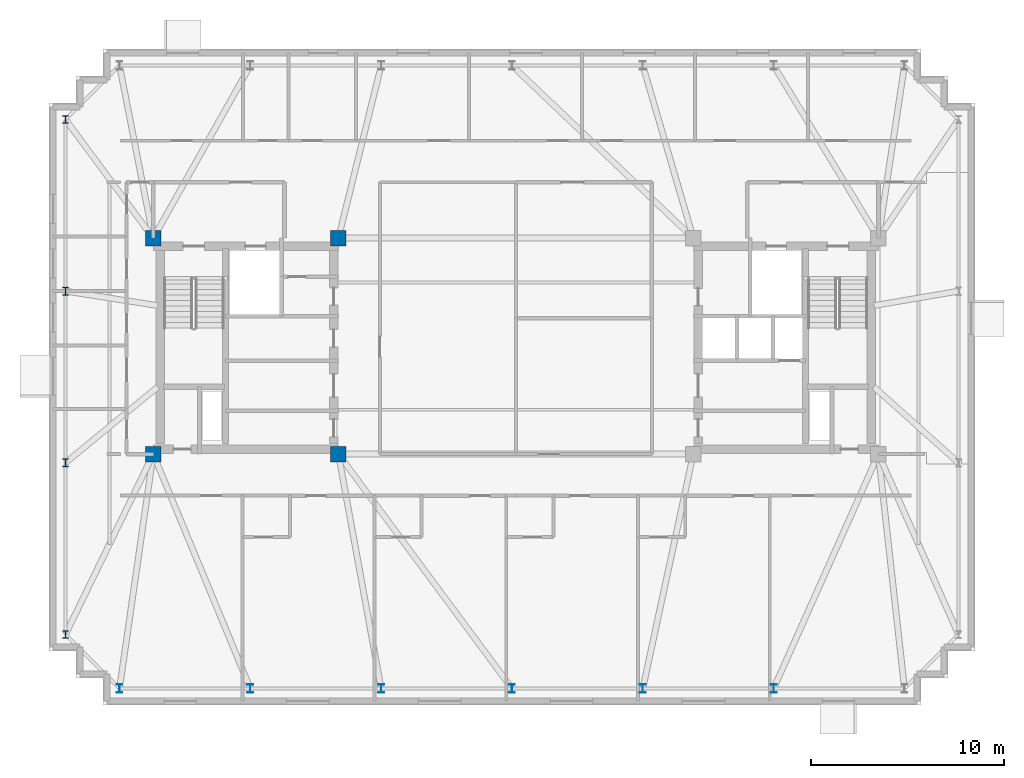
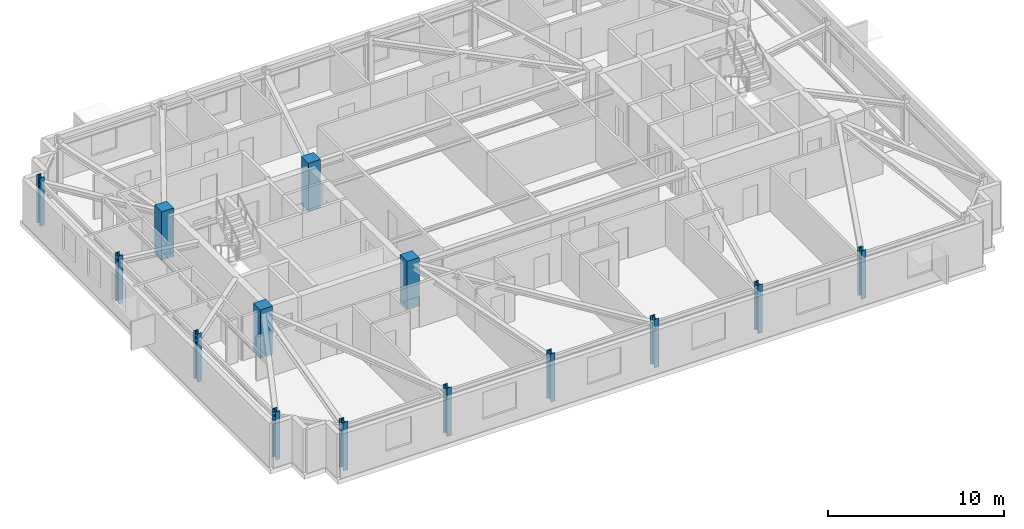
# One storey, part 1 of 11: 14 columns.
"""IFC4 building model written with IfcOpenShell, lengths in metres."""

from ifc_helpers import new_model, si_unit, direction, frame, origin, origin_2d, place, context, subcontext, project, spatial, rectangle, i_section, extrude, material, material_profile, profile_set, type_object, element, save


model = new_model("IFC4")

# Units and contexts
model_context = context("Model", 3, precision=1e-05, world=origin(), true_north=direction((0.0, 1.0)))
body_context = subcontext(model_context, "Body", "Model", "MODEL_VIEW")
ifc_project = project(units=[si_unit("LENGTHUNIT", "METRE"), si_unit("AREAUNIT", "SQUARE_METRE"), si_unit("VOLUMEUNIT", "CUBIC_METRE"), si_unit("PLANEANGLEUNIT", "RADIAN"), si_unit("MASSUNIT", "GRAM", prefix="KILO")], contexts=[model_context])

# Site, building, storey
site_placement = place(None, origin())
site = spatial("IfcSite", under=ifc_project, at=site_placement, CompositionType="ELEMENT")
building_placement = place(site_placement, origin())
building = spatial("IfcBuilding", under=site, at=building_placement, Name="Qobustan Lattice House", CompositionType="ELEMENT")
storey_placement = place(building_placement, frame((0.0, 0.0, 248.39990234375)))
storey = spatial("IfcBuildingStorey", under=building, at=storey_placement, Name="L70", CompositionType="ELEMENT", Elevation=248.39990234375)

# Columns
ifc_material_1 = material(Name="Concrete C50/60", Category="concrete")
ifc_material_profile_1 = material_profile(ifc_material_1, rectangle(XDim=0.800048828125, YDim=0.800048828125, at=origin_2d()), Name="RC800x800")
ifc_profile_set_1 = profile_set([ifc_material_profile_1], Name="Concrete C50/60")
column_type_1 = type_object("IfcColumnType", Name="COL-RC-800", PredefinedType="COLUMN", material=ifc_profile_set_1)
for number, where, z_axis, x_axis, name in (
    (1, (-18.800048828125, -5.60009765625, 0.0), (0.0, 0.0, 1.0), (1.0, 0.0, 0.0), "L70 core mega-column CW-SW"),
    (2, (-18.800048828125, 5.60009765625, 0.0), (0.0, 0.0, 1.0), (1.0, 0.0, 0.0), "L70 core mega-column CW-NW"),
    (3, (-9.199951171875, -5.60009765625, 0.0), (0.0, 0.0, 1.0), (1.0, 0.0, 0.0), "L70 core mega-column CW-SE"),
    (4, (-9.199951171875, 5.60009765625, 0.0), (0.0, 0.0, 1.0), (1.0, 0.0, 0.0), "L70 core mega-column CW-NE"),
):
    element("IfcColumn", number, at=place(storey_placement, frame(where, z_axis=z_axis, x_axis=x_axis)), inside=storey, type_object=column_type_1, Name=name, PredefinedType="COLUMN", context=body_context, shape_type="SweptSolid", body=[
        extrude(rectangle(XDim=0.800048828125, YDim=0.800048828125, at=origin_2d()), origin(), (0.0, 0.0, 1.0), 3.35009765625),
    ])
ifc_material_2 = material(Name="Steel S355", Category="steel")
ifc_material_profile_2 = material_profile(ifc_material_2, i_section(OverallWidth=0.300048828125, OverallDepth=0.39990234375, WebThickness=0.013427734375, FlangeThickness=0.02392578125, FilletRadius=0.027099609375, at=origin_2d()), Name="HEB400")
ifc_profile_set_2 = profile_set([ifc_material_profile_2], Name="Steel S355")
column_type_2 = type_object("IfcColumnType", Name="COL-ST-HEB400", PredefinedType="COLUMN", material=ifc_profile_set_2)
for number, where, z_axis, x_axis, name in (
    (5, (-23.35009765625, 11.75, 0.0), (0.0, 0.0, 1.0), (1.0, 0.0, 0.0), "L70 B5 perimeter column W1"),
    (6, (-23.35009765625, 2.85009765625, 0.0), (0.0, 0.0, 1.0), (1.0, 0.0, 0.0), "L70 B5 perimeter column W2"),
    (7, (-23.35009765625, -6.050048828125, 0.0), (0.0, 0.0, 1.0), (1.0, 0.0, 0.0), "L70 B5 perimeter column W3"),
    (8, (-23.35009765625, -14.949951171875, 0.0), (0.0, 0.0, 1.0), (1.0, 0.0, 0.0), "L70 B5 perimeter column W4"),
):
    element("IfcColumn", number, at=place(storey_placement, frame(where, z_axis=z_axis, x_axis=x_axis)), inside=storey, type_object=column_type_2, Name=name, PredefinedType="COLUMN", context=body_context, shape_type="SweptSolid", body=[
        extrude(i_section(OverallWidth=0.300048828125, OverallDepth=0.39990234375, WebThickness=0.013427734375, FlangeThickness=0.02392578125, FilletRadius=0.027099609375, at=origin_2d()), origin(), (0.0, 0.0, 1.0), 3.35009765625),
    ])
ifc_material_3 = material(Name="Steel S355", Category="steel")
ifc_material_profile_3 = material_profile(ifc_material_3, i_section(OverallWidth=0.300048828125, OverallDepth=0.449951171875, WebThickness=0.013916015625, FlangeThickness=0.02587890625, FilletRadius=0.027099609375, at=origin_2d()), Name="HEB450")
ifc_profile_set_3 = profile_set([ifc_material_profile_3], Name="Steel S355")
column_type_3 = type_object("IfcColumnType", Name="COL-ST-HEB450", PredefinedType="COLUMN", material=ifc_profile_set_3)
for number, where, z_axis, x_axis, name in (
    (9, (-20.550048828125, -17.75, 0.0), (0.0, 0.0, 1.0), (1.0, 0.0, 0.0), "L70 B5 perimeter column S1"),
    (10, (-13.7666015625, -17.75, 0.0), (0.0, 0.0, 1.0), (1.0, 0.0, 0.0), "L70 B5 perimeter column S2"),
    (11, (-6.9833984375, -17.75, 0.0), (0.0, 0.0, 1.0), (1.0, 0.0, 0.0), "L70 B5 perimeter column S3"),
    (12, (-0.199951171875, -17.75, 0.0), (0.0, 0.0, 1.0), (1.0, 0.0, 0.0), "L70 B5 perimeter column S4"),
    (13, (6.583251953125, -17.75, 0.0), (0.0, 0.0, 1.0), (1.0, 0.0, 0.0), "L70 B5 perimeter column S5"),
    (14, (13.36669921875, -17.75, 0.0), (0.0, 0.0, 1.0), (1.0, 0.0, 0.0), "L70 B5 perimeter column S6"),
):
    element("IfcColumn", number, at=place(storey_placement, frame(where, z_axis=z_axis, x_axis=x_axis)), inside=storey, type_object=column_type_3, Name=name, PredefinedType="COLUMN", context=body_context, shape_type="SweptSolid", body=[
        extrude(i_section(OverallWidth=0.300048828125, OverallDepth=0.449951171875, WebThickness=0.013916015625, FlangeThickness=0.02587890625, FilletRadius=0.027099609375, at=origin_2d()), origin(), (0.0, 0.0, 1.0), 3.35009765625),
    ])

save(model, "model.ifc")
